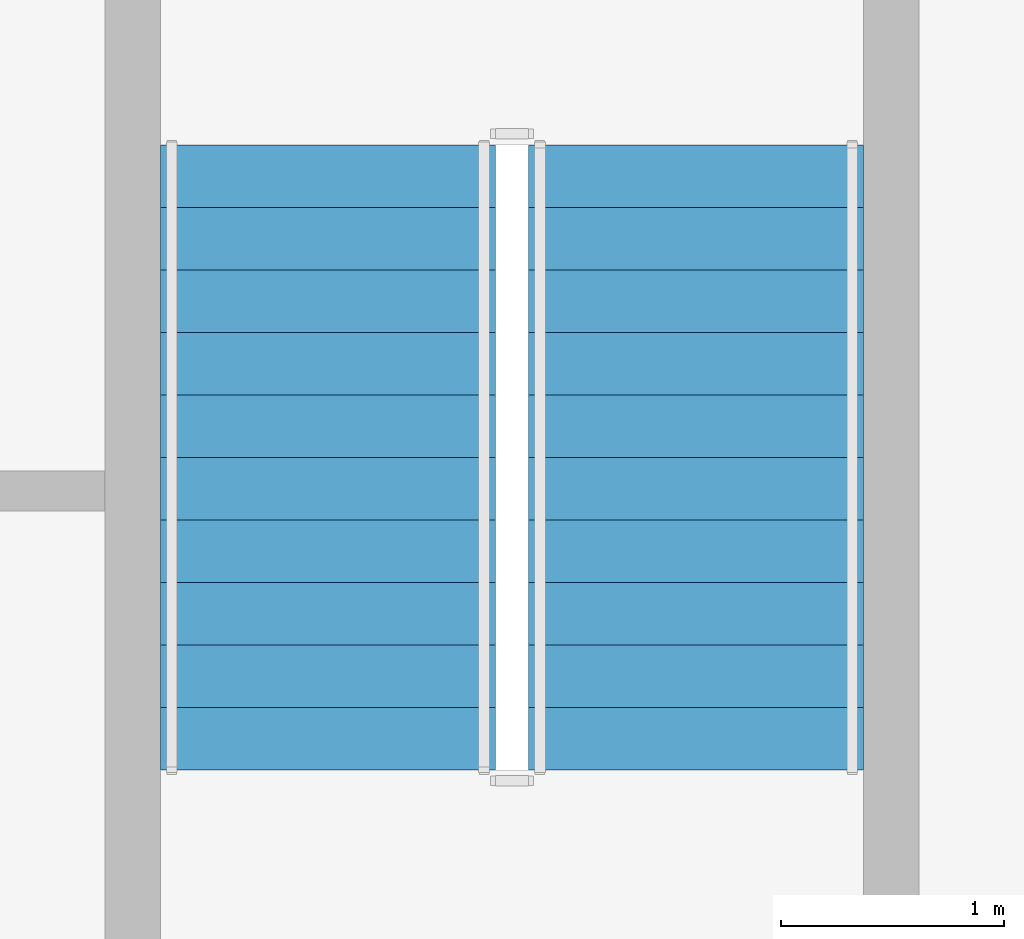
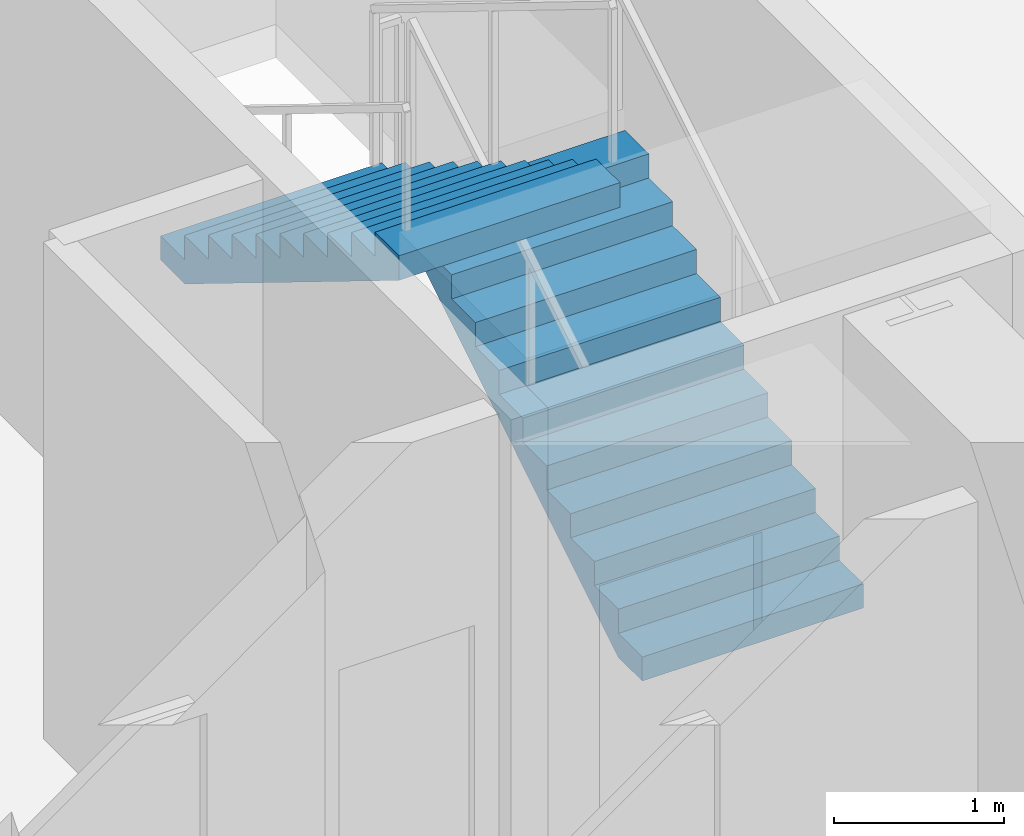
# One storey, part 9 of 14: 2 stair flights, 1 element without a shape of its own.
"""IFC4 building model written with IfcOpenShell, lengths in metres."""

from ifc_helpers import new_model, si_unit, direction, frame, origin, place, context, subcontext, project, spatial, polyline, outline, extrude, source, transform, mapped, material, type_object, element, aggregate, save


model = new_model("IFC4")

# Units and contexts
model_context = context("Model", 3, precision=1e-05, world=origin(), true_north=direction((0.0, 1.0)))
body_context = subcontext(model_context, "Body", "Model", "MODEL_VIEW")
ifc_project = project(units=[si_unit("LENGTHUNIT", "METRE"), si_unit("AREAUNIT", "SQUARE_METRE"), si_unit("VOLUMEUNIT", "CUBIC_METRE"), si_unit("PLANEANGLEUNIT", "RADIAN"), si_unit("MASSUNIT", "GRAM", prefix="KILO")], contexts=[model_context])

# Site, building, storey
site_placement = place(None, origin())
site = spatial("IfcSite", under=ifc_project, at=site_placement, CompositionType="ELEMENT")
building_placement = place(site_placement, origin())
building = spatial("IfcBuilding", under=site, at=building_placement, Name="Vardaveli Station Tower", CompositionType="ELEMENT")
storey_placement = place(building_placement, frame((0.0, 0.0, 107.5)))
storey = spatial("IfcBuildingStorey", under=building, at=storey_placement, Name="L27", CompositionType="ELEMENT", Elevation=107.5)

# Stair, stair flights
ifc_material = material(Name="Concrete C40/50", Category="concrete")
stair_type = type_object("IfcStairType", Name="STR-CORE-1500", PredefinedType="HALF_TURN_STAIR", material=ifc_material)
stair_placement = place(storey_placement, origin())
stair = element("IfcStair", 1, at=stair_placement, inside=storey, type_object=stair_type, Name="L27 ST-3", PredefinedType="HALF_TURN_STAIR")
stair_flight_type = type_object("IfcStairFlightType", Name="SFL-CORE-1500", PredefinedType="STRAIGHT", material=ifc_material)
shared_shape = source(origin(), body_context, "Body", "SweptSolid", [
    extrude(outline(polyline([(0.0, 0.0), (0.0, 0.172607421875), (0.280029296875, 0.172607421875), (0.280029296875, 0.345458984375), (0.56005859375, 0.345458984375), (0.56005859375, 0.51806640625), (0.840087890625, 0.51806640625), (0.840087890625, 0.69091796875), (1.1201171875, 0.69091796875), (1.1201171875, 0.863525390625), (1.39990234375, 0.863525390625), (1.39990234375, 1.036376953125), (1.679931640625, 1.036376953125), (1.679931640625, 1.208984375), (1.9599609375, 1.208984375), (1.9599609375, 1.3818359375), (2.239990234375, 1.3818359375), (2.239990234375, 1.554443359375), (2.52001953125, 1.554443359375), (2.52001953125, 1.727294921875), (2.800048828125, 1.727294921875), (2.800048828125, 1.89990234375), (2.800048828125, 1.551025390625), (0.285400390625, 0.0), (0.0, 0.0)])), frame((0.0, 0.75, 0.0), z_axis=(0.0, -1.0, 0.0), x_axis=(1.0, 0.0, 0.0)), (0.0, 0.0, 1.0), 1.5),
])
stair_flight_1_placement = place(storey_placement, frame((46.5, 32.39990234375, 0.0), z_axis=(0.0, 0.0, 1.0), x_axis=(0.0, 1.0, 0.0)))
stair_flight_1 = element("IfcStairFlight", 2, at=stair_flight_1_placement, type_object=stair_flight_type, Name="ST-3 flight 1", NumberOfRisers=11, NumberOfTreads=10, PredefinedType="STRAIGHT", RiserHeight=0.172727273, TreadLength=0.28, context=body_context, shape_type="MappedRepresentation", body=[
    mapped(shared_shape, transform((0.0, 0.0, 0.0), scale=1.0)),
])
stair_flight_2_placement = place(storey_placement, frame((44.85009765625, 35.199951171875, 1.89990234375), z_axis=(0.0, 0.0, 1.0), x_axis=(0.0, -1.0, 0.0)))
stair_flight_2 = element("IfcStairFlight", 3, at=stair_flight_2_placement, type_object=stair_flight_type, Name="ST-3 flight 2", NumberOfRisers=11, NumberOfTreads=10, PredefinedType="STRAIGHT", RiserHeight=0.172727273, TreadLength=0.28, context=body_context, shape_type="MappedRepresentation", body=[
    mapped(shared_shape, transform((0.0, 0.0, 0.0), scale=1.0)),
])
aggregate(stair, [stair_flight_1, stair_flight_2])

save(model, "model.ifc")
